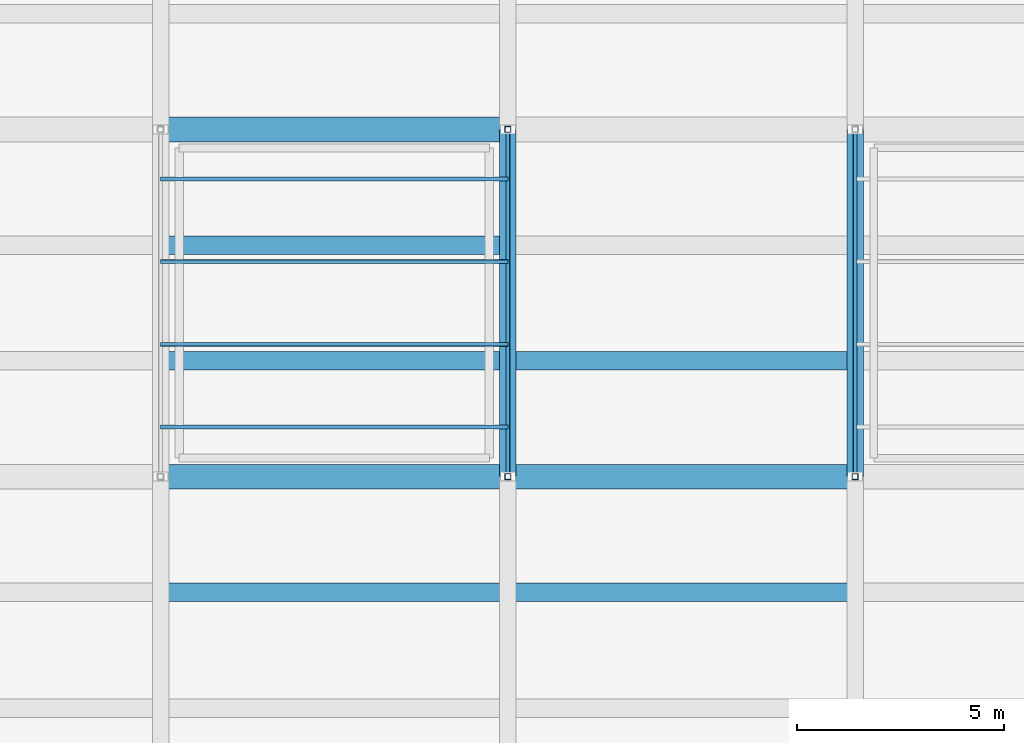
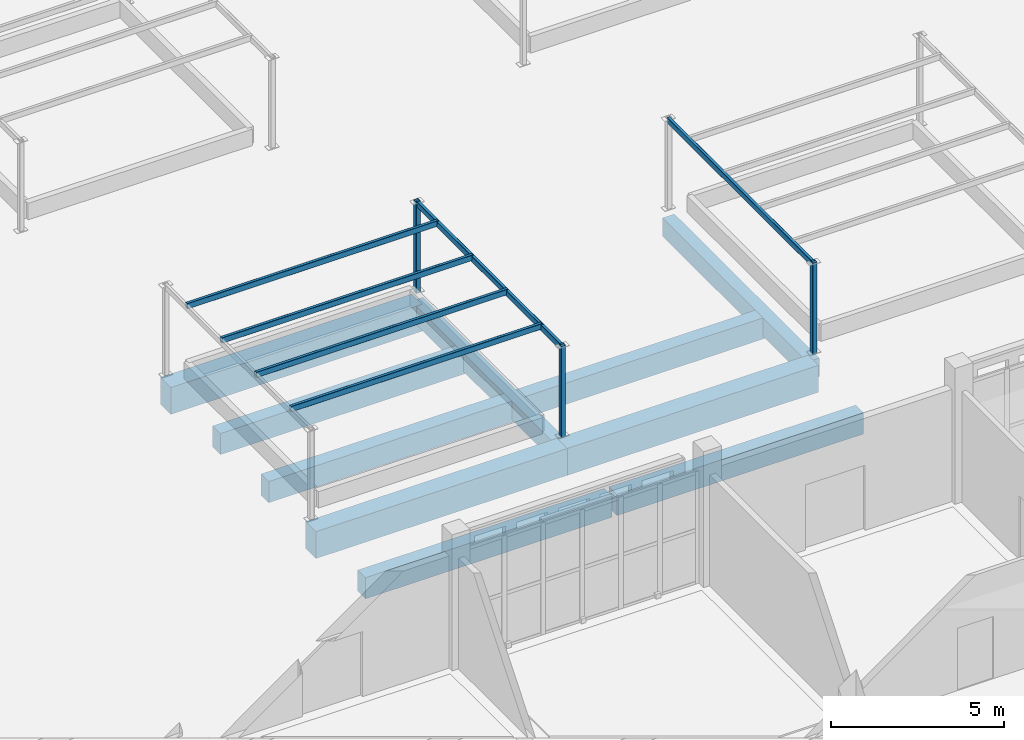
# One storey, part 17 of 129: 10 beams, 9 members.
"""IFC4 building model written with IfcOpenShell, lengths in metres."""

import ifcopenshell
import ifcopenshell.guid

model = None  # the IFC model being written
_history = None  # IfcOwnerHistory: only IFC2X3 demands one
_inside = {}  # id of a spatial element -> (the spatial element, [elements in it])
_under = {}  # id of a project, library or spatial element -> (it, [spatial elements below it])
_declared = {}  # id of a project -> (the project, [libraries it declares])
_typed = {}  # id of a type object -> (the type object, [elements of that type])
_made_of = {}  # id of a material, layer set ... -> (it, [elements and type objects made of it])


def new_model(schema):
    """Start an empty IFC model of exactly this schema.

    Asked for "IFC4X3", IfcOpenShell would pick the latest addendum, in which some entities
    have other attributes; the version numbers below select the first issue.
    IFC2X3 requires an IfcOwnerHistory on every rooted entity: one is made here for all.
    """
    global model, _history
    if schema == "IFC4X3":
        model = ifcopenshell.file(schema_version=(4, 3, 0, 0))
    else:
        model = ifcopenshell.file(schema=schema)
    _inside.clear()
    _under.clear()
    _declared.clear()
    _typed.clear()
    _made_of.clear()
    _history = None
    if model.schema == "IFC2X3":
        org = make("IfcOrganization", Name="unknown")
        user = make(
            "IfcPersonAndOrganization",
            ThePerson=make("IfcPerson", FamilyName="unknown"),
            TheOrganization=org,
        )
        app = make(
            "IfcApplication",
            ApplicationDeveloper=org,
            Version="unknown",
            ApplicationFullName="unknown",
            ApplicationIdentifier="unknown",
        )
        _history = make(
            "IfcOwnerHistory",
            OwningUser=user,
            OwningApplication=app,
            ChangeAction="ADDED",
            CreationDate=0,
        )
    return model


def make(cls, **values):
    """One entity of the class cls with the attributes given. An attribute that is None is left unset."""
    return model.create_entity(
        cls, **{name: value for name, value in values.items() if value is not None}
    )


def rooted(cls, **values):
    """An entity with a GlobalId (a new one), such as an element, a storey or a relation."""
    return make(cls, GlobalId=ifcopenshell.guid.new(), OwnerHistory=_history, **values)


def si_unit(unit_type, name, prefix=None):
    """IfcSIUnit, for example si_unit("LENGTHUNIT", "METRE", prefix="MILLI")."""
    return make("IfcSIUnit", UnitType=unit_type, Prefix=prefix, Name=name)


def assignment(units):
    """IfcUnitAssignment: the units of a project."""
    return None if units is None else make("IfcUnitAssignment", Units=units)


def point(xyz):
    """IfcCartesianPoint."""
    return None if xyz is None else make("IfcCartesianPoint", Coordinates=xyz)


def direction(xyz):
    """IfcDirection."""
    return None if xyz is None else make("IfcDirection", DirectionRatios=xyz)


def frame(location, z_axis=None, x_axis=None):
    """IfcAxis2Placement3D, a coordinate frame: its origin and axes. An axis left out is left unset."""
    return make(
        "IfcAxis2Placement3D",
        Location=point(location),
        Axis=direction(z_axis),
        RefDirection=direction(x_axis),
    )


def frame_2d(location, x_axis=None):
    """IfcAxis2Placement2D, a coordinate frame in the plane: its origin and x axis."""
    return make(
        "IfcAxis2Placement2D", Location=point(location), RefDirection=direction(x_axis)
    )


def origin():
    """The frame at (0, 0, 0) with its axes left unset."""
    return frame((0.0, 0.0, 0.0))


def origin_2d():
    """The frame at (0, 0) in the plane with its x axis left unset."""
    return frame_2d((0.0, 0.0))


def place(relative_to, where):
    """IfcLocalPlacement: puts the frame where relative to a parent placement (None: the world)."""
    return make(
        "IfcLocalPlacement", PlacementRelTo=relative_to, RelativePlacement=where
    )


def context(
    kind, dimensions, precision=None, world=None, true_north=None, identifier=None
):
    """IfcGeometricRepresentationContext, for example the 3D "Model" context."""
    return make(
        "IfcGeometricRepresentationContext",
        ContextIdentifier=identifier,
        ContextType=kind,
        CoordinateSpaceDimension=dimensions,
        Precision=precision,
        WorldCoordinateSystem=world,
        TrueNorth=true_north,
    )


def subcontext(parent, identifier, kind, view, scale=None):
    """IfcGeometricRepresentationSubContext, for example "Body" below "Model"."""
    return make(
        "IfcGeometricRepresentationSubContext",
        ContextIdentifier=identifier,
        ContextType=kind,
        ParentContext=parent,
        TargetScale=scale,
        TargetView=view,
    )


def project(units=None, contexts=None):
    """IfcProject with its units and contexts."""
    return rooted(
        "IfcProject",
        Name="project",
        RepresentationContexts=contexts,
        UnitsInContext=assignment(units),
    )


def spatial(cls, under=None, at=None, **own):
    """A site, building, storey or space (cls), placed at a placement, below another one or the project."""
    s = rooted(cls, ObjectPlacement=at, **own)
    if under is not None:
        _under.setdefault(under.id(), (under, []))[1].append(s)
    return s


def profile(cls, at=None, kind="AREA", **sizes):
    """A parametric profile (cls). Its sizes go by their IFC names, for example OverallWidth=200.0."""
    return make(cls, ProfileType=kind, Position=at, **sizes)


def rectangle(**sizes):
    """IfcRectangleProfileDef."""
    return profile("IfcRectangleProfileDef", **sizes)


def hollow_rectangle(**sizes):
    """IfcRectangleHollowProfileDef."""
    return profile("IfcRectangleHollowProfileDef", **sizes)


def extrude(swept, where, along, depth):
    """IfcExtrudedAreaSolid: the profile swept, set in the frame where, extruded along a direction by depth."""
    return make(
        "IfcExtrudedAreaSolid",
        SweptArea=swept,
        Position=where,
        ExtrudedDirection=direction(along),
        Depth=depth,
    )


def shape(context_of_items, identifier, shape_type, items):
    """IfcShapeRepresentation: the items that make up one representation, for example the "Body"."""
    return make(
        "IfcShapeRepresentation",
        ContextOfItems=context_of_items,
        RepresentationIdentifier=identifier,
        RepresentationType=shape_type,
        Items=items,
    )


def material(Name=None, Category=None):
    """IfcMaterial."""
    return make("IfcMaterial", Name=Name, Category=Category)


def material_profile(
    of_material, cross_section, Name=None, Category=None, Priority=None
):
    """IfcMaterialProfile: a cross section and its material."""
    return make(
        "IfcMaterialProfile",
        Name=Name,
        Material=of_material,
        Profile=cross_section,
        Priority=Priority,
        Category=Category,
    )


def profile_set(profiles, Name=None, composite=None):
    """IfcMaterialProfileSet."""
    return make(
        "IfcMaterialProfileSet",
        Name=Name,
        MaterialProfiles=profiles,
        CompositeProfile=composite,
    )


def made_of(thing, what):
    """Note that an element or type object is made of a material, layer set ...; save() writes the relation."""
    if what is not None:
        _made_of.setdefault(what.id(), (what, []))[1].append(thing)
    return thing


def type_object(cls, material=None, **own):
    """A type object (cls), such as IfcWallType, which elements share."""
    return made_of(rooted(cls, **own), material)


def element(
    cls,
    number,
    at=None,
    inside=None,
    cuts=None,
    type_object=None,
    material=None,
    context=None,
    identifier="Body",
    shape_type=None,
    held_by="IfcProductDefinitionShape",
    body=None,
    shapes=None,
    **own,
):
    """One element of the class cls, such as IfcWall. Its Tag is "e" and its number.

    at: its placement. inside: the storey or other place that contains it. cuts: it is an
    opening in that element (IfcRelVoidsElement). A single representation is given by context,
    identifier, shape_type and body (its items); several are given by shapes. held_by: the class
    of the entity that holds the representations. save() writes the other relations.
    """
    e = rooted(cls, Tag="e%d" % number, ObjectPlacement=at, **own)
    if body is not None:
        shapes = [shape(context, identifier, shape_type, body)]
    if shapes is not None:
        e.Representation = make(held_by, Representations=shapes)
    if inside is not None:
        _inside.setdefault(inside.id(), (inside, []))[1].append(e)
    if cuts is not None:
        rooted(
            "IfcRelVoidsElement", RelatingBuildingElement=cuts, RelatedOpeningElement=e
        )
    if type_object is not None:
        _typed.setdefault(type_object.id(), (type_object, []))[1].append(e)
    return made_of(e, material)


def aggregate(whole, parts):
    """IfcRelAggregates: a whole, such as a stair, and the parts it consists of."""
    return rooted("IfcRelAggregates", RelatingObject=whole, RelatedObjects=parts)


def save(model, path):
    """Write the relations noted so far, then the file.

    IfcRelAggregates (storeys below a building ...), IfcRelContainedInSpatialStructure (elements
    in a storey), IfcRelDefinesByType, IfcRelAssociatesMaterial and IfcRelDeclares: one each for
    every whole, place, type object, material and project.
    """
    for whole, parts in _under.values():
        aggregate(whole, parts)
    for where, things in _inside.values():
        rooted(
            "IfcRelContainedInSpatialStructure",
            RelatedElements=things,
            RelatingStructure=where,
        )
    for kind, things in _typed.values():
        rooted("IfcRelDefinesByType", RelatedObjects=things, RelatingType=kind)
    for what, things in _made_of.values():
        rooted("IfcRelAssociatesMaterial", RelatedObjects=things, RelatingMaterial=what)
    for by, libraries in _declared.values():
        rooted("IfcRelDeclares", RelatingContext=by, RelatedDefinitions=libraries)
    model.write(path)


model = new_model("IFC4")

# Units and contexts
model_context = context("Model", 3, precision=1e-05, world=origin(), true_north=direction((0.0, 1.0)))
body_context = subcontext(model_context, "Body", "Model", "MODEL_VIEW")
ifc_project = project(units=[si_unit("LENGTHUNIT", "METRE"), si_unit("AREAUNIT", "SQUARE_METRE"), si_unit("VOLUMEUNIT", "CUBIC_METRE"), si_unit("PLANEANGLEUNIT", "RADIAN"), si_unit("MASSUNIT", "GRAM", prefix="KILO")], contexts=[model_context])

# Site, building, storey
site_placement = place(None, origin())
site = spatial("IfcSite", under=ifc_project, at=site_placement, CompositionType="ELEMENT")
building_placement = place(site_placement, origin())
building = spatial("IfcBuilding", under=site, at=building_placement, Name="Varnapada Polytechnic", CompositionType="ELEMENT")
storey_placement = place(building_placement, origin())
storey = spatial("IfcBuildingStorey", under=building, at=storey_placement, Name="L00", CompositionType="ELEMENT", Elevation=0.0)

# Beams
ifc_material_1 = material(Name="Concrete C40/50", Category="concrete")
ifc_material_profile_1 = material_profile(ifc_material_1, rectangle(XDim=0.449951171875, YDim=0.75, at=origin_2d()), Name="RC 450x750")
ifc_profile_set_1 = profile_set([ifc_material_profile_1], Name="Concrete C40/50")
beam_type_1 = type_object("IfcBeamType", Name="Basement/podium secondary beam BB-01 (RC 450x750)", PredefinedType="BEAM", material=ifc_profile_set_1)
for number, where, z_axis, x_axis, name in (
    (1, (92.47998046875, 47.60009765625, -0.655029296875), (1.0, 0.0, 0.0), (0.0, 1.0, 0.0), "L00 floor joist 12/6.2"),
    (2, (92.47998046875, 53.199951171875, -0.655029296875), (1.0, 0.0, 0.0), (0.0, 1.0, 0.0), "L00 floor joist 12/7.1"),
    (3, (92.47998046875, 56.0, -0.655029296875), (1.0, 0.0, 0.0), (0.0, 1.0, 0.0), "L00 floor joist 12/7.2"),
):
    element("IfcBeam", number, at=place(storey_placement, frame(where, z_axis=z_axis, x_axis=x_axis)), inside=storey, type_object=beam_type_1, Name=name, PredefinedType="BEAM", context=body_context, shape_type="SweptSolid", body=[
        extrude(rectangle(XDim=0.449951171875, YDim=0.75, at=origin_2d()), origin(), (0.0, 0.0, 1.0), 8.239990234375),
    ])
for number, where, z_axis, x_axis, name in (
    (4, (100.8798828125, 47.60009765625, -0.655029296875), (1.0, 0.0, 0.0), (0.0, 1.0, 0.0), "L00 floor joist 13/6.2"),
    (5, (100.8798828125, 53.199951171875, -0.655029296875), (1.0, 0.0, 0.0), (0.0, 1.0, 0.0), "L00 floor joist 13/7.1"),
):
    element("IfcBeam", number, at=place(storey_placement, frame(where, z_axis=z_axis, x_axis=x_axis)), inside=storey, type_object=beam_type_1, Name=name, PredefinedType="BEAM", context=body_context, shape_type="SweptSolid", body=[
        extrude(rectangle(XDim=0.449951171875, YDim=0.75, at=origin_2d()), origin(), (0.0, 0.0, 1.0), 8.240234375),
    ])

# Members
ifc_material_2 = material(Name="Steel S355", Category="steel")
ifc_material_profile_2 = material_profile(ifc_material_2, hollow_rectangle(XDim=0.10009765625, YDim=0.199951171875, WallThickness=0.00634765625, InnerFilletRadius=0.006103515625, OuterFilletRadius=0.011962890625, at=origin_2d()), Name="RHS 200x100x6.3")
ifc_profile_set_2 = profile_set([ifc_material_profile_2], Name="Steel S355")
member_type_1 = type_object("IfcMemberType", Name="Gable and library roof steel purlin PR-01 (RHS 200x100x6.3)", PredefinedType="PURLIN", material=ifc_profile_set_2)
for number, where, z_axis, x_axis, name in (
    (6, (100.800048828125, 50.39990234375, 3.1201171875), (0.0, 1.0, 0.0), (-1.0, 0.0, 0.0), "Courtyard planted garden pergola girder CT-BED-2.2"),
    (7, (92.39990234375, 51.60009765625, 3.159912109375), (1.0, 0.0, 0.0), (0.0, 1.0, 0.0), "Courtyard planted garden shade trellis CT-BED-2.1"),
    (8, (92.39990234375, 53.60009765625, 3.159912109375), (1.0, 0.0, 0.0), (0.0, 1.0, 0.0), "Courtyard planted garden shade trellis CT-BED-2.2"),
    (9, (92.39990234375, 55.60009765625, 3.159912109375), (1.0, 0.0, 0.0), (0.0, 1.0, 0.0), "Courtyard planted garden shade trellis CT-BED-2.3"),
    (10, (92.39990234375, 57.60009765625, 3.159912109375), (1.0, 0.0, 0.0), (0.0, 1.0, 0.0), "Courtyard planted garden shade trellis CT-BED-2.4"),
    (11, (109.199951171875, 50.39990234375, 3.1201171875), (0.0, 1.0, 0.0), (-1.0, 0.0, 0.0), "Courtyard planted garden pergola girder CT-BED-3.1"),
):
    element("IfcMember", number, at=place(storey_placement, frame(where, z_axis=z_axis, x_axis=x_axis)), inside=storey, type_object=member_type_1, Name=name, PredefinedType="PURLIN", context=body_context, shape_type="SweptSolid", body=[
        extrude(hollow_rectangle(XDim=0.10009765625, YDim=0.199951171875, WallThickness=0.00634765625, InnerFilletRadius=0.006103515625, OuterFilletRadius=0.011962890625, at=origin_2d()), origin(), (0.0, 0.0, 1.0), 8.400146484375),
    ])

# Beams
ifc_material_profile_3 = material_profile(ifc_material_1, rectangle(XDim=0.39990234375, YDim=0.64990234375, at=origin_2d()), Name="RC 400x650")
ifc_profile_set_3 = profile_set([ifc_material_profile_3], Name="Concrete C40/50")
beam_type_2 = type_object("IfcBeamType", Name="Podium framing beam BB-02 (RC 400x650)", PredefinedType="BEAM", material=ifc_profile_set_3)
for number, where, z_axis, x_axis, name in (
    (12, (100.800048828125, 50.39990234375, -0.60498046875), (0.0, 1.0, 0.0), (-1.0, 0.0, 0.0), "L00 beam Y 7-8 at X13"),
    (13, (109.199951171875, 50.39990234375, -0.60498046875), (0.0, 1.0, 0.0), (-1.0, 0.0, 0.0), "L00 beam Y 7-8 at X14"),
):
    element("IfcBeam", number, at=place(storey_placement, frame(where, z_axis=z_axis, x_axis=x_axis)), inside=storey, type_object=beam_type_2, Name=name, PredefinedType="BEAM", context=body_context, shape_type="SweptSolid", body=[
        extrude(rectangle(XDim=0.39990234375, YDim=0.64990234375, at=origin_2d()), origin(), (0.0, 0.0, 1.0), 8.400146484375),
    ])

# Members
ifc_material_profile_4 = material_profile(ifc_material_2, hollow_rectangle(XDim=0.14990234375, YDim=0.14990234375, WallThickness=0.00634765625, InnerFilletRadius=0.006103515625, OuterFilletRadius=0.011962890625, at=origin_2d()), Name="SHS 150x150x6.3")
ifc_profile_set_4 = profile_set([ifc_material_profile_4], Name="Steel S355")
member_type_2 = type_object("IfcMemberType", Name="Sawtooth north-light mullion post SFP-02 (SHS 150x150x6.3)", PredefinedType="POST", material=ifc_profile_set_4)
for number, where, z_axis, x_axis, name in (
    (14, (100.800048828125, 50.39990234375, -0.02001953125), (0.0, 0.0, 1.0), (1.0, 0.0, 0.0), "Courtyard planted garden trellis post CT-BED-2.2.1"),
    (15, (100.800048828125, 58.800048828125, -0.02001953125), (0.0, 0.0, 1.0), (1.0, 0.0, 0.0), "Courtyard planted garden trellis post CT-BED-2.2.2"),
    (16, (109.199951171875, 50.39990234375, -0.02001953125), (0.0, 0.0, 1.0), (1.0, 0.0, 0.0), "Courtyard planted garden trellis post CT-BED-3.1.1"),
):
    element("IfcMember", number, at=place(storey_placement, frame(where, z_axis=z_axis, x_axis=x_axis)), inside=storey, type_object=member_type_2, Name=name, PredefinedType="POST", context=body_context, shape_type="SweptSolid", body=[
        extrude(hollow_rectangle(XDim=0.14990234375, YDim=0.14990234375, WallThickness=0.00634765625, InnerFilletRadius=0.006103515625, OuterFilletRadius=0.011962890625, at=origin_2d()), origin(), (0.0, 0.0, 1.0), 3.239990234375),
    ])

# Beams
ifc_material_profile_5 = material_profile(ifc_material_1, rectangle(XDim=0.60009765625, YDim=0.949951171875, at=origin_2d()), Name="RC 600x950")
ifc_profile_set_5 = profile_set([ifc_material_profile_5], Name="Concrete C40/50")
beam_type_3 = type_object("IfcBeamType", Name="Workshop podium heavy girder BG-03 (RC 600x950)", PredefinedType="T_BEAM", material=ifc_profile_set_5)
for number, where, z_axis, x_axis, name in (
    (17, (92.39990234375, 50.39990234375, -0.7548828125), (1.0, 0.0, 0.0), (0.0, 1.0, 0.0), "L00 beam X 12-13 at Y7"),
    (18, (92.39990234375, 58.800048828125, -0.7548828125), (1.0, 0.0, 0.0), (0.0, 1.0, 0.0), "L00 beam X 12-13 at Y8"),
):
    element("IfcBeam", number, at=place(storey_placement, frame(where, z_axis=z_axis, x_axis=x_axis)), inside=storey, type_object=beam_type_3, Name=name, PredefinedType="T_BEAM", context=body_context, shape_type="SweptSolid", body=[
        extrude(rectangle(XDim=0.60009765625, YDim=0.949951171875, at=origin_2d()), origin(), (0.0, 0.0, 1.0), 8.400146484375),
    ])
beam_placement = place(storey_placement, frame((100.800048828125, 50.39990234375, -0.7548828125), z_axis=(1.0, 0.0, 0.0), x_axis=(0.0, 1.0, 0.0)))
element("IfcBeam", 19, at=beam_placement, inside=storey, type_object=beam_type_3, Name="L00 beam X 13-14 at Y7", PredefinedType="T_BEAM", context=body_context, shape_type="SweptSolid", body=[
    extrude(rectangle(XDim=0.60009765625, YDim=0.949951171875, at=origin_2d()), origin(), (0.0, 0.0, 1.0), 8.39990234375),
])

save(model, "model.ifc")
